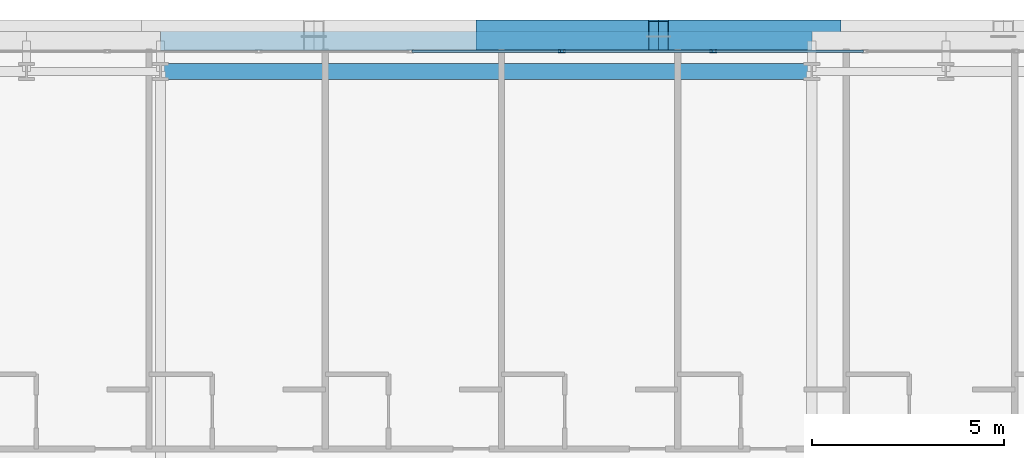
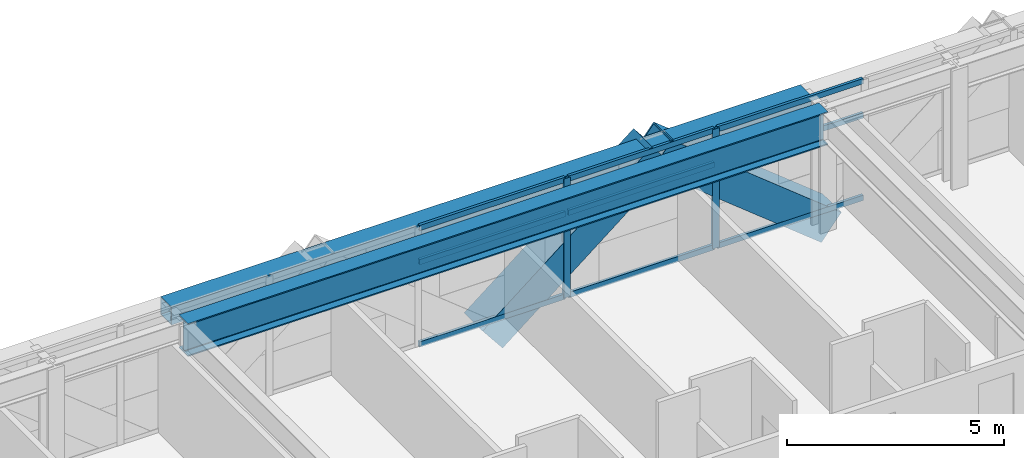
# One storey, part 19 of 36: 13 members, 2 beams, 1 element without a shape of its own.
"""IFC4 building model written with IfcOpenShell, lengths in metres."""

from ifc_helpers import new_model, si_unit, direction, frame, origin, origin_2d, place, context, subcontext, project, spatial, hollow_rectangle, i_section, extrude, source, transform, mapped, material, layer, layer_set, material_profile, profile_set, type_object, element, aggregate, save


model = new_model("IFC4")

# Units and contexts
model_context = context("Model", 3, precision=1e-05, world=origin(), true_north=direction((0.0, 1.0)))
body_context = subcontext(model_context, "Body", "Model", "MODEL_VIEW")
ifc_project = project(units=[si_unit("LENGTHUNIT", "METRE"), si_unit("AREAUNIT", "SQUARE_METRE"), si_unit("VOLUMEUNIT", "CUBIC_METRE"), si_unit("PLANEANGLEUNIT", "RADIAN"), si_unit("MASSUNIT", "GRAM", prefix="KILO")], contexts=[model_context])

# Site, building, storey
site_placement = place(None, origin())
site = spatial("IfcSite", under=ifc_project, at=site_placement, CompositionType="ELEMENT")
building_placement = place(site_placement, origin())
building = spatial("IfcBuilding", under=site, at=building_placement, Name="Ocotamira Hotel", CompositionType="ELEMENT")
storey_placement = place(building_placement, frame((0.0, 0.0, 42.0)))
storey = spatial("IfcBuildingStorey", under=building, at=storey_placement, Name="L09", CompositionType="ELEMENT", Elevation=42.0)

# Beams
ifc_material_1 = material(Name="Steel ASTM A992 Grade 50", Category="steel")
ifc_material_profile_1 = material_profile(ifc_material_1, i_section(OverallWidth=0.41796875, OverallDepth=0.927001953125, WebThickness=0.019287109375, FlangeThickness=0.031982421875, FilletRadius=0.02392578125, at=origin_2d()), Name="W36X231")
ifc_profile_set_1 = profile_set([ifc_material_profile_1], Name="Steel ASTM A992 Grade 50")
beam_type_1 = type_object("IfcBeamType", Name="BM-GIRD-W36X231", PredefinedType="BEAM", material=ifc_profile_set_1)
shared_shape_1 = source(origin(), body_context, "Body", "SweptSolid", [
    extrude(i_section(OverallWidth=0.41796875, OverallDepth=0.927001953125, WebThickness=0.019287109375, FlangeThickness=0.031982421875, FilletRadius=0.02392578125, at=origin_2d()), origin(), (0.0, 0.0, 1.0), 17.0),
])
beam_1_placement = place(storey_placement, frame((23.5, 49.050048828125, 2.886474609375), z_axis=(1.0, 0.0, 0.0), x_axis=(0.0, 1.0, 0.0)))
element("IfcBeam", 1, at=beam_1_placement, inside=storey, type_object=beam_type_1, Name="L09 Girder Y49.05 X23.5-40.5", PredefinedType="BEAM", context=body_context, shape_type="MappedRepresentation", body=[
    mapped(shared_shape_1, transform((0.0, 0.0, 0.0), scale=1.0)),
])
ifc_material_2 = material(Name="Steel ASTM A500 Grade C", Category="steel")
ifc_material_profile_2 = material_profile(ifc_material_2, hollow_rectangle(XDim=0.5, YDim=0.5, WallThickness=0.02001953125, at=origin_2d()), Name="HSS500X500X20")
ifc_profile_set_2 = profile_set([ifc_material_profile_2], Name="Steel ASTM A500 Grade C")
beam_type_2 = type_object("IfcBeamType", Name="BM-SPAN-HSS500", PredefinedType="USERDEFINED", material=ifc_profile_set_2)
shared_shape_2 = source(origin(), body_context, "Body", "SweptSolid", [
    extrude(hollow_rectangle(XDim=0.5, YDim=0.5, WallThickness=0.02001953125, at=origin_2d()), origin(), (0.0, 0.0, 1.0), 17.0),
])
beam_2_placement = place(storey_placement, frame((23.5, 49.85009765625, 3.10009765625), z_axis=(1.0, 0.0, 0.0), x_axis=(0.0, 1.0, 0.0)))
element("IfcBeam", 2, at=beam_2_placement, inside=storey, type_object=beam_type_2, Name="L09 Edge Spandrel N X23.5-40.5", ObjectType="SPANDREL", PredefinedType="USERDEFINED", context=body_context, shape_type="MappedRepresentation", body=[
    mapped(shared_shape_2, transform((0.0, 0.0, 0.0), scale=1.0)),
])

# Members
ifc_material_3 = material(Name="Pale-metal coated steel ASTM A913 Grade 65", Category="steel")
ifc_material_profile_3 = material_profile(ifc_material_3, hollow_rectangle(XDim=0.85009765625, YDim=0.85009765625, WallThickness=0.035888671875, at=origin_2d()), Name="BOX850X850X36")
ifc_profile_set_3 = profile_set([ifc_material_profile_3], Name="Pale-metal coated steel ASTM A913 Grade 65")
member_type_1 = type_object("IfcMemberType", Name="MEM-EXO-BOX850", PredefinedType="BRACE", material=ifc_profile_set_3)
shared_shape_3 = source(origin(), body_context, "Body", "SweptSolid", [
    extrude(hollow_rectangle(XDim=0.85009765625, YDim=0.85009765625, WallThickness=0.035888671875, at=origin_2d()), origin(), (0.0, 0.0, 1.0), 5.762939453125),
])
for number, where, z_axis, x_axis, name in (
    (3, (32.0, 49.969970703125, -0.5), (0.780860543151, 0.0, 0.624705380279), (0.0, 1.0, 0.0), "L09 Exoskeleton Diagrid N2.1"),
    (4, (41.0, 49.969970703125, -0.5), (-0.780860543151, 0.0, 0.624705380279), (0.0, -1.0, 0.0), "L09 Exoskeleton Diagrid N2.2"),
):
    element("IfcMember", number, at=place(storey_placement, frame(where, z_axis=z_axis, x_axis=x_axis)), inside=storey, type_object=member_type_1, Name=name, PredefinedType="BRACE", context=body_context, shape_type="MappedRepresentation", body=[
        mapped(shared_shape_3, transform((0.0, 0.0, 0.0), scale=1.0)),
    ])

# Curtain wall, members
ifc_material_4 = material(Name="Anodised pale-metal aluminium and solar glass", Category="aluminium")
ifc_layer = layer(ifc_material_4, 0.179931640625)
ifc_layer_set = layer_set([ifc_layer], Name="Anodised pale-metal aluminium and solar glass")
curtain_wall_type = type_object("IfcCurtainWallType", Name="CW-SYS2-Z1", PredefinedType="NOTDEFINED", material=ifc_layer_set)
curtain_wall_placement = place(storey_placement, origin())
curtain_wall = element("IfcCurtainWall", 5, at=curtain_wall_placement, inside=storey, type_object=curtain_wall_type, Name="L09 Curtain Wall CW-2 CW-L09-N", PredefinedType="NOTDEFINED")
ifc_material_5 = material(Name="Anodised pale-metal aluminium 6063-T6", Category="aluminium")
ifc_material_profile_4 = material_profile(ifc_material_5, hollow_rectangle(XDim=0.074951171875, YDim=0.14990234375, WallThickness=0.006103515625, at=origin_2d()), Name="HSS150X75X6")
ifc_profile_set_4 = profile_set([ifc_material_profile_4], Name="Anodised pale-metal aluminium 6063-T6")
member_type_2 = type_object("IfcMemberType", Name="CWT-150X75", PredefinedType="USERDEFINED", material=ifc_profile_set_4)
shared_shape_4 = source(origin(), body_context, "Body", "SweptSolid", [
    extrude(hollow_rectangle(XDim=0.074951171875, YDim=0.14990234375, WallThickness=0.006103515625, at=origin_2d()), origin(), (0.0, 0.0, 1.0), 3.87548828125),
])
member_1_placement = place(storey_placement, frame((30.062255859375, 49.580078125, 0.03759765625), z_axis=(1.0, 0.0, 0.0), x_axis=(0.0, 1.0, 0.0)))
member_1 = element("IfcMember", 6, at=member_1_placement, type_object=member_type_2, Name="CW-2 transom 5.1", ObjectType="TRANSOM", PredefinedType="USERDEFINED", context=body_context, shape_type="MappedRepresentation", body=[
    mapped(shared_shape_4, transform((0.0, 0.0, 0.0), scale=1.0)),
])
member_2_placement = place(storey_placement, frame((30.062255859375, 49.580078125, 2.35009765625), z_axis=(1.0, 0.0, 0.0), x_axis=(0.0, 1.0, 0.0)))
member_2 = element("IfcMember", 7, at=member_2_placement, type_object=member_type_2, Name="CW-2 transom 5.2", ObjectType="TRANSOM", PredefinedType="USERDEFINED", context=body_context, shape_type="MappedRepresentation", body=[
    mapped(shared_shape_4, transform((0.0, 0.0, 0.0), scale=1.0)),
])
member_3_placement = place(storey_placement, frame((30.062255859375, 49.580078125, 3.3125), z_axis=(1.0, 0.0, 0.0), x_axis=(0.0, 1.0, 0.0)))
member_3 = element("IfcMember", 8, at=member_3_placement, type_object=member_type_2, Name="CW-2 transom 5.3", ObjectType="TRANSOM", PredefinedType="USERDEFINED", context=body_context, shape_type="MappedRepresentation", body=[
    mapped(shared_shape_4, transform((0.0, 0.0, 0.0), scale=1.0)),
])
member_4_placement = place(storey_placement, frame((34.017822265625, 49.580078125, 0.03759765625), z_axis=(1.0, 0.0, 0.0), x_axis=(0.0, 1.0, 0.0)))
member_4 = element("IfcMember", 9, at=member_4_placement, type_object=member_type_2, Name="CW-2 transom 6.1", ObjectType="TRANSOM", PredefinedType="USERDEFINED", context=body_context, shape_type="MappedRepresentation", body=[
    mapped(shared_shape_4, transform((0.0, 0.0, 0.0), scale=1.0)),
])
member_5_placement = place(storey_placement, frame((34.017822265625, 49.580078125, 2.35009765625), z_axis=(1.0, 0.0, 0.0), x_axis=(0.0, 1.0, 0.0)))
member_5 = element("IfcMember", 10, at=member_5_placement, type_object=member_type_2, Name="CW-2 transom 6.2", ObjectType="TRANSOM", PredefinedType="USERDEFINED", context=body_context, shape_type="MappedRepresentation", body=[
    mapped(shared_shape_4, transform((0.0, 0.0, 0.0), scale=1.0)),
])
member_6_placement = place(storey_placement, frame((34.017822265625, 49.580078125, 3.3125), z_axis=(1.0, 0.0, 0.0), x_axis=(0.0, 1.0, 0.0)))
member_6 = element("IfcMember", 11, at=member_6_placement, type_object=member_type_2, Name="CW-2 transom 6.3", ObjectType="TRANSOM", PredefinedType="USERDEFINED", context=body_context, shape_type="MappedRepresentation", body=[
    mapped(shared_shape_4, transform((0.0, 0.0, 0.0), scale=1.0)),
])
member_7_placement = place(storey_placement, frame((37.973388671875, 49.580078125, 0.03759765625), z_axis=(1.0, 0.0, 0.0), x_axis=(0.0, 1.0, 0.0)))
member_7 = element("IfcMember", 12, at=member_7_placement, type_object=member_type_2, Name="CW-2 transom 7.1", ObjectType="TRANSOM", PredefinedType="USERDEFINED", context=body_context, shape_type="MappedRepresentation", body=[
    mapped(shared_shape_4, transform((0.0, 0.0, 0.0), scale=1.0)),
])
member_8_placement = place(storey_placement, frame((37.973388671875, 49.580078125, 2.35009765625), z_axis=(1.0, 0.0, 0.0), x_axis=(0.0, 1.0, 0.0)))
member_8 = element("IfcMember", 13, at=member_8_placement, type_object=member_type_2, Name="CW-2 transom 7.2", ObjectType="TRANSOM", PredefinedType="USERDEFINED", context=body_context, shape_type="MappedRepresentation", body=[
    mapped(shared_shape_4, transform((0.0, 0.0, 0.0), scale=1.0)),
])
member_9_placement = place(storey_placement, frame((37.973388671875, 49.580078125, 3.3125), z_axis=(1.0, 0.0, 0.0), x_axis=(0.0, 1.0, 0.0)))
member_9 = element("IfcMember", 14, at=member_9_placement, type_object=member_type_2, Name="CW-2 transom 7.3", ObjectType="TRANSOM", PredefinedType="USERDEFINED", context=body_context, shape_type="MappedRepresentation", body=[
    mapped(shared_shape_4, transform((0.0, 0.0, 0.0), scale=1.0)),
])
ifc_material_profile_5 = material_profile(ifc_material_5, hollow_rectangle(XDim=0.080078125, YDim=0.179931640625, WallThickness=0.006103515625, at=origin_2d()), Name="HSS180X80X6")
ifc_profile_set_5 = profile_set([ifc_material_profile_5], Name="Anodised pale-metal aluminium 6063-T6")
member_type_3 = type_object("IfcMemberType", Name="CWM-180X75", PredefinedType="MULLION", material=ifc_profile_set_5)
shared_shape_5 = source(origin(), body_context, "Body", "SweptSolid", [
    extrude(hollow_rectangle(XDim=0.080078125, YDim=0.179931640625, WallThickness=0.006103515625, at=origin_2d()), origin(), (0.0, 0.0, 1.0), 3.35009765625),
])
member_10_placement = place(storey_placement, frame((33.977783203125, 49.580078125, 0.0), z_axis=(0.0, 0.0, 1.0), x_axis=(0.0, 1.0, 0.0)))
member_10 = element("IfcMember", 15, at=member_10_placement, type_object=member_type_3, Name="CW-2 mullion 6", PredefinedType="MULLION", context=body_context, shape_type="MappedRepresentation", body=[
    mapped(shared_shape_5, transform((0.0, 0.0, 0.0), scale=1.0)),
])
member_11_placement = place(storey_placement, frame((37.933349609375, 49.580078125, 0.0), z_axis=(0.0, 0.0, 1.0), x_axis=(0.0, 1.0, 0.0)))
member_11 = element("IfcMember", 16, at=member_11_placement, type_object=member_type_3, Name="CW-2 mullion 7", PredefinedType="MULLION", context=body_context, shape_type="MappedRepresentation", body=[
    mapped(shared_shape_5, transform((0.0, 0.0, 0.0), scale=1.0)),
])
aggregate(curtain_wall, [member_10, member_11, member_1, member_2, member_3, member_4, member_5, member_6, member_7, member_8, member_9])

save(model, "model.ifc")
